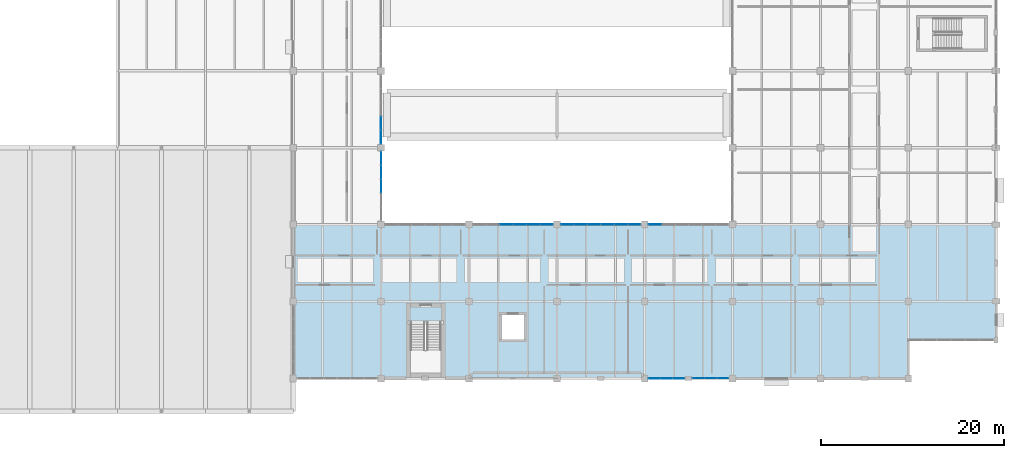
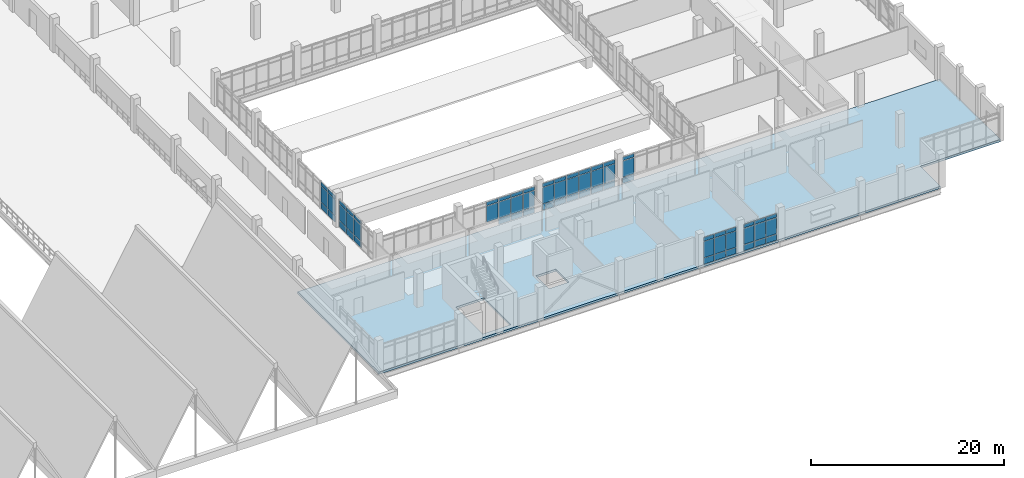
# One storey, part 41 of 86: 65 plates, 1 slab, 7 elements without a shape of their own.
"""IFC4 building model written with IfcOpenShell, lengths in metres."""

from ifc_helpers import new_model, si_unit, direction, frame, origin, origin_2d, place, context, subcontext, project, spatial, polyline, rectangle, outline, extrude, material, layer, layer_set, type_object, element, aggregate, save


model = new_model("IFC4")

# Units and contexts
model_context = context("Model", 3, precision=1e-05, world=origin(), true_north=direction((0.0, 1.0)))
body_context = subcontext(model_context, "Body", "Model", "MODEL_VIEW")
ifc_project = project(units=[si_unit("LENGTHUNIT", "METRE"), si_unit("AREAUNIT", "SQUARE_METRE"), si_unit("VOLUMEUNIT", "CUBIC_METRE"), si_unit("PLANEANGLEUNIT", "RADIAN"), si_unit("MASSUNIT", "GRAM", prefix="KILO")], contexts=[model_context])

# Site, building, storey
site_placement = place(None, origin())
site = spatial("IfcSite", under=ifc_project, at=site_placement, CompositionType="ELEMENT")
building_placement = place(site_placement, origin())
building = spatial("IfcBuilding", under=site, at=building_placement, Name="Oolite Switchyard Hospital", CompositionType="ELEMENT")
storey_placement = place(building_placement, frame((0.0, 0.0, 13.5)))
storey = spatial("IfcBuildingStorey", under=building, at=storey_placement, Name="L03", CompositionType="ELEMENT", Elevation=13.5)

# Curtain wall, plates
ifc_material_1 = material(Name="Thermally broken aluminum frame with laminated impact glazing", Category="aluminium")
curtain_wall_type_1 = type_object("IfcCurtainWallType", Name="CW-UNIT-96X43", PredefinedType="USERDEFINED", material=ifc_material_1)
curtain_wall_1_placement = place(storey_placement, origin())
curtain_wall_1 = element("IfcCurtainWall", 1, at=curtain_wall_1_placement, inside=storey, type_object=curtain_wall_type_1, Name="L03 Unitised Curtain Wall 332", ObjectType="UNITISED", PredefinedType="USERDEFINED")
ifc_material_2 = material(Name="Insulated fluoropolymer-coated aluminum spandrel panel", Category="aluminium")
ifc_layer_1 = layer(ifc_material_2, 0.054931640625)
ifc_layer_set_1 = layer_set([ifc_layer_1], Name="CW-PNL-SPN55")
plate_type_1 = type_object("IfcPlateType", Name="CW-PNL-SPN55", PredefinedType="CURTAIN_PANEL", material=ifc_layer_set_1)
plate_1_placement = place(storey_placement, frame((164.34375, 25.199951171875, 0.06005859375), z_axis=(0.0, 0.0, 1.0), x_axis=(1.0, 0.0, 0.0)))
plate_1 = element("IfcPlate", 2, at=plate_1_placement, type_object=plate_type_1, Name="CW-04 panel 1.1", PredefinedType="CURTAIN_PANEL", context=body_context, shape_type="SweptSolid", body=[
    extrude(rectangle(XDim=1.357421875, YDim=0.054931640625, at=origin_2d()), origin(), (0.0, 0.0, 1.0), 0.760009765625),
])
plate_2_placement = place(storey_placement, frame((164.34375, 25.199951171875, 0.8798828125), z_axis=(0.0, 0.0, 1.0), x_axis=(1.0, 0.0, 0.0)))
plate_2 = element("IfcPlate", 3, at=plate_2_placement, type_object=plate_type_1, Name="CW-04 panel 1.2", PredefinedType="CURTAIN_PANEL", context=body_context, shape_type="SweptSolid", body=[
    extrude(rectangle(XDim=1.357421875, YDim=0.054931640625, at=origin_2d()), origin(), (0.0, 0.0, 1.0), 2.030029296875),
])
plate_3_placement = place(storey_placement, frame((164.34375, 25.199951171875, 2.969970703125), z_axis=(0.0, 0.0, 1.0), x_axis=(1.0, 0.0, 0.0)))
plate_3 = element("IfcPlate", 4, at=plate_3_placement, type_object=plate_type_1, Name="CW-04 panel 1.3", PredefinedType="CURTAIN_PANEL", context=body_context, shape_type="SweptSolid", body=[
    extrude(rectangle(XDim=1.357421875, YDim=0.054931640625, at=origin_2d()), origin(), (0.0, 0.0, 1.0), 0.4599609375),
])
plate_4_placement = place(storey_placement, frame((165.794921875, 25.199951171875, 0.06005859375), z_axis=(0.0, 0.0, 1.0), x_axis=(1.0, 0.0, 0.0)))
plate_4 = element("IfcPlate", 5, at=plate_4_placement, type_object=plate_type_1, Name="CW-04 panel 2.1", PredefinedType="CURTAIN_PANEL", context=body_context, shape_type="SweptSolid", body=[
    extrude(rectangle(XDim=1.39501953125, YDim=0.054931640625, at=origin_2d()), origin(), (0.0, 0.0, 1.0), 0.760009765625),
])
plate_5_placement = place(storey_placement, frame((165.794921875, 25.199951171875, 0.8798828125), z_axis=(0.0, 0.0, 1.0), x_axis=(1.0, 0.0, 0.0)))
plate_5 = element("IfcPlate", 6, at=plate_5_placement, type_object=plate_type_1, Name="CW-04 panel 2.2", PredefinedType="CURTAIN_PANEL", context=body_context, shape_type="SweptSolid", body=[
    extrude(rectangle(XDim=1.39501953125, YDim=0.054931640625, at=origin_2d()), origin(), (0.0, 0.0, 1.0), 2.030029296875),
])
plate_6_placement = place(storey_placement, frame((165.794921875, 25.199951171875, 2.969970703125), z_axis=(0.0, 0.0, 1.0), x_axis=(1.0, 0.0, 0.0)))
plate_6 = element("IfcPlate", 7, at=plate_6_placement, type_object=plate_type_1, Name="CW-04 panel 2.3", PredefinedType="CURTAIN_PANEL", context=body_context, shape_type="SweptSolid", body=[
    extrude(rectangle(XDim=1.39501953125, YDim=0.054931640625, at=origin_2d()), origin(), (0.0, 0.0, 1.0), 0.4599609375),
])
plate_7_placement = place(storey_placement, frame((167.264892578125, 25.199951171875, 0.06005859375), z_axis=(0.0, 0.0, 1.0), x_axis=(1.0, 0.0, 0.0)))
plate_7 = element("IfcPlate", 8, at=plate_7_placement, type_object=plate_type_1, Name="CW-04 panel 3.1", PredefinedType="CURTAIN_PANEL", context=body_context, shape_type="SweptSolid", body=[
    extrude(rectangle(XDim=1.39501953125, YDim=0.054931640625, at=origin_2d()), origin(), (0.0, 0.0, 1.0), 0.760009765625),
])
plate_8_placement = place(storey_placement, frame((167.264892578125, 25.199951171875, 0.8798828125), z_axis=(0.0, 0.0, 1.0), x_axis=(1.0, 0.0, 0.0)))
plate_8 = element("IfcPlate", 9, at=plate_8_placement, type_object=plate_type_1, Name="CW-04 panel 3.2", PredefinedType="CURTAIN_PANEL", context=body_context, shape_type="SweptSolid", body=[
    extrude(rectangle(XDim=1.39501953125, YDim=0.054931640625, at=origin_2d()), origin(), (0.0, 0.0, 1.0), 2.030029296875),
])
plate_9_placement = place(storey_placement, frame((167.264892578125, 25.199951171875, 2.969970703125), z_axis=(0.0, 0.0, 1.0), x_axis=(1.0, 0.0, 0.0)))
plate_9 = element("IfcPlate", 10, at=plate_9_placement, type_object=plate_type_1, Name="CW-04 panel 3.3", PredefinedType="CURTAIN_PANEL", context=body_context, shape_type="SweptSolid", body=[
    extrude(rectangle(XDim=1.39501953125, YDim=0.054931640625, at=origin_2d()), origin(), (0.0, 0.0, 1.0), 0.4599609375),
])
plate_10_placement = place(storey_placement, frame((168.735107421875, 25.199951171875, 0.06005859375), z_axis=(0.0, 0.0, 1.0), x_axis=(1.0, 0.0, 0.0)))
plate_10 = element("IfcPlate", 11, at=plate_10_placement, type_object=plate_type_1, Name="CW-04 panel 4.1", PredefinedType="CURTAIN_PANEL", context=body_context, shape_type="SweptSolid", body=[
    extrude(rectangle(XDim=1.39501953125, YDim=0.054931640625, at=origin_2d()), origin(), (0.0, 0.0, 1.0), 0.760009765625),
])
plate_11_placement = place(storey_placement, frame((168.735107421875, 25.199951171875, 0.8798828125), z_axis=(0.0, 0.0, 1.0), x_axis=(1.0, 0.0, 0.0)))
plate_11 = element("IfcPlate", 12, at=plate_11_placement, type_object=plate_type_1, Name="CW-04 panel 4.2", PredefinedType="CURTAIN_PANEL", context=body_context, shape_type="SweptSolid", body=[
    extrude(rectangle(XDim=1.39501953125, YDim=0.054931640625, at=origin_2d()), origin(), (0.0, 0.0, 1.0), 2.030029296875),
])
plate_12_placement = place(storey_placement, frame((168.735107421875, 25.199951171875, 2.969970703125), z_axis=(0.0, 0.0, 1.0), x_axis=(1.0, 0.0, 0.0)))
plate_12 = element("IfcPlate", 13, at=plate_12_placement, type_object=plate_type_1, Name="CW-04 panel 4.3", PredefinedType="CURTAIN_PANEL", context=body_context, shape_type="SweptSolid", body=[
    extrude(rectangle(XDim=1.39501953125, YDim=0.054931640625, at=origin_2d()), origin(), (0.0, 0.0, 1.0), 0.4599609375),
])
plate_13_placement = place(storey_placement, frame((170.205078125, 25.199951171875, 0.06005859375), z_axis=(0.0, 0.0, 1.0), x_axis=(1.0, 0.0, 0.0)))
plate_13 = element("IfcPlate", 14, at=plate_13_placement, type_object=plate_type_1, Name="CW-04 panel 5.1", PredefinedType="CURTAIN_PANEL", context=body_context, shape_type="SweptSolid", body=[
    extrude(rectangle(XDim=1.39501953125, YDim=0.054931640625, at=origin_2d()), origin(), (0.0, 0.0, 1.0), 0.760009765625),
])
plate_14_placement = place(storey_placement, frame((170.205078125, 25.199951171875, 0.8798828125), z_axis=(0.0, 0.0, 1.0), x_axis=(1.0, 0.0, 0.0)))
plate_14 = element("IfcPlate", 15, at=plate_14_placement, type_object=plate_type_1, Name="CW-04 panel 5.2", PredefinedType="CURTAIN_PANEL", context=body_context, shape_type="SweptSolid", body=[
    extrude(rectangle(XDim=1.39501953125, YDim=0.054931640625, at=origin_2d()), origin(), (0.0, 0.0, 1.0), 2.030029296875),
])
plate_15_placement = place(storey_placement, frame((170.205078125, 25.199951171875, 2.969970703125), z_axis=(0.0, 0.0, 1.0), x_axis=(1.0, 0.0, 0.0)))
plate_15 = element("IfcPlate", 16, at=plate_15_placement, type_object=plate_type_1, Name="CW-04 panel 5.3", PredefinedType="CURTAIN_PANEL", context=body_context, shape_type="SweptSolid", body=[
    extrude(rectangle(XDim=1.39501953125, YDim=0.054931640625, at=origin_2d()), origin(), (0.0, 0.0, 1.0), 0.4599609375),
])
plate_16_placement = place(storey_placement, frame((171.65625, 25.199951171875, 0.06005859375), z_axis=(0.0, 0.0, 1.0), x_axis=(1.0, 0.0, 0.0)))
plate_16 = element("IfcPlate", 17, at=plate_16_placement, type_object=plate_type_1, Name="CW-04 panel 6.1", PredefinedType="CURTAIN_PANEL", context=body_context, shape_type="SweptSolid", body=[
    extrude(rectangle(XDim=1.357421875, YDim=0.054931640625, at=origin_2d()), origin(), (0.0, 0.0, 1.0), 0.760009765625),
])
plate_17_placement = place(storey_placement, frame((171.65625, 25.199951171875, 0.8798828125), z_axis=(0.0, 0.0, 1.0), x_axis=(1.0, 0.0, 0.0)))
plate_17 = element("IfcPlate", 18, at=plate_17_placement, type_object=plate_type_1, Name="CW-04 panel 6.2", PredefinedType="CURTAIN_PANEL", context=body_context, shape_type="SweptSolid", body=[
    extrude(rectangle(XDim=1.357421875, YDim=0.054931640625, at=origin_2d()), origin(), (0.0, 0.0, 1.0), 2.030029296875),
])
plate_18_placement = place(storey_placement, frame((171.65625, 25.199951171875, 2.969970703125), z_axis=(0.0, 0.0, 1.0), x_axis=(1.0, 0.0, 0.0)))
plate_18 = element("IfcPlate", 19, at=plate_18_placement, type_object=plate_type_1, Name="CW-04 panel 6.3", PredefinedType="CURTAIN_PANEL", context=body_context, shape_type="SweptSolid", body=[
    extrude(rectangle(XDim=1.357421875, YDim=0.054931640625, at=origin_2d()), origin(), (0.0, 0.0, 1.0), 0.4599609375),
])
aggregate(curtain_wall_1, [plate_1, plate_2, plate_3, plate_4, plate_5, plate_6, plate_7, plate_8, plate_9, plate_10, plate_11, plate_12, plate_13, plate_14, plate_15, plate_16, plate_17, plate_18])

curtain_wall_type_2 = type_object("IfcCurtainWallType", Name="CW-UNIT-84X43", PredefinedType="USERDEFINED", material=ifc_material_1)
curtain_wall_2_placement = place(storey_placement, origin())
curtain_wall_2 = element("IfcCurtainWall", 20, at=curtain_wall_2_placement, inside=storey, type_object=curtain_wall_type_2, Name="L03 Unitised Curtain Wall 343", ObjectType="UNITISED", PredefinedType="USERDEFINED")
plate_19_placement = place(storey_placement, frame((144.0, 36.27587890625, 0.0751953125), z_axis=(0.0, 0.0, 1.0), x_axis=(0.0, -1.0, 0.0)))
plate_19 = element("IfcPlate", 21, at=plate_19_placement, type_object=plate_type_1, Name="CW-09 panel 4.1", PredefinedType="CURTAIN_PANEL", context=body_context, shape_type="SweptSolid", body=[
    extrude(rectangle(XDim=1.4541015625, YDim=0.054931640625, at=origin_2d()), origin(), (0.0, 0.0, 1.0), 0.737548828125),
])
plate_20_placement = place(storey_placement, frame((144.0, 36.27587890625, 0.8876953125), z_axis=(0.0, 0.0, 1.0), x_axis=(0.0, -1.0, 0.0)))
plate_20 = element("IfcPlate", 22, at=plate_20_placement, type_object=plate_type_1, Name="CW-09 panel 4.2", PredefinedType="CURTAIN_PANEL", context=body_context, shape_type="SweptSolid", body=[
    extrude(rectangle(XDim=1.4541015625, YDim=0.054931640625, at=origin_2d()), origin(), (0.0, 0.0, 1.0), 2.014892578125),
])
plate_21_placement = place(storey_placement, frame((144.0, 36.27587890625, 2.9775390625), z_axis=(0.0, 0.0, 1.0), x_axis=(0.0, -1.0, 0.0)))
plate_21 = element("IfcPlate", 23, at=plate_21_placement, type_object=plate_type_1, Name="CW-09 panel 4.3", PredefinedType="CURTAIN_PANEL", context=body_context, shape_type="SweptSolid", body=[
    extrude(rectangle(XDim=1.4541015625, YDim=0.054931640625, at=origin_2d()), origin(), (0.0, 0.0, 1.0), 0.4375),
])
plate_22_placement = place(storey_placement, frame((144.0, 34.76953125, 0.0751953125), z_axis=(0.0, 0.0, 1.0), x_axis=(0.0, -1.0, 0.0)))
plate_22 = element("IfcPlate", 24, at=plate_22_placement, type_object=plate_type_1, Name="CW-09 panel 5.1", PredefinedType="CURTAIN_PANEL", context=body_context, shape_type="SweptSolid", body=[
    extrude(rectangle(XDim=1.4189453125, YDim=0.054931640625, at=origin_2d()), origin(), (0.0, 0.0, 1.0), 0.737548828125),
])
plate_23_placement = place(storey_placement, frame((144.0, 34.76953125, 0.8876953125), z_axis=(0.0, 0.0, 1.0), x_axis=(0.0, -1.0, 0.0)))
plate_23 = element("IfcPlate", 25, at=plate_23_placement, type_object=plate_type_1, Name="CW-09 panel 5.2", PredefinedType="CURTAIN_PANEL", context=body_context, shape_type="SweptSolid", body=[
    extrude(rectangle(XDim=1.4189453125, YDim=0.054931640625, at=origin_2d()), origin(), (0.0, 0.0, 1.0), 2.014892578125),
])
plate_24_placement = place(storey_placement, frame((144.0, 34.76953125, 2.9775390625), z_axis=(0.0, 0.0, 1.0), x_axis=(0.0, -1.0, 0.0)))
plate_24 = element("IfcPlate", 26, at=plate_24_placement, type_object=plate_type_1, Name="CW-09 panel 5.3", PredefinedType="CURTAIN_PANEL", context=body_context, shape_type="SweptSolid", body=[
    extrude(rectangle(XDim=1.4189453125, YDim=0.054931640625, at=origin_2d()), origin(), (0.0, 0.0, 1.0), 0.4375),
])
aggregate(curtain_wall_2, [plate_19, plate_20, plate_21, plate_22, plate_23, plate_24])

curtain_wall_3_placement = place(storey_placement, origin())
curtain_wall_3 = element("IfcCurtainWall", 27, at=curtain_wall_3_placement, inside=storey, type_object=curtain_wall_type_2, Name="L03 Unitised Curtain Wall 327", ObjectType="UNITISED", PredefinedType="USERDEFINED")
ifc_material_3 = material(Name="Laminated hurricane-impact insulated glazing unit", Category="glass")
ifc_layer_2 = layer(ifc_material_3, 0.028076171875)
ifc_layer_set_2 = layer_set([ifc_layer_2], Name="CW-PNL-VIS28")
plate_type_2 = type_object("IfcPlateType", Name="CW-PNL-VIS28", PredefinedType="CURTAIN_PANEL", material=ifc_layer_set_2)
plate_25_placement = place(storey_placement, frame((181.324951171875, 8.39990234375, 0.0751953125), z_axis=(0.0, 0.0, 1.0), x_axis=(-1.0, 0.0, 0.0)))
plate_25 = element("IfcPlate", 28, at=plate_25_placement, type_object=plate_type_2, Name="CW-09 panel 1.1", PredefinedType="CURTAIN_PANEL", context=body_context, shape_type="SweptSolid", body=[
    extrude(rectangle(XDim=1.25, YDim=0.028076171875, at=origin_2d()), origin(), (0.0, 0.0, 1.0), 0.737548828125),
])
plate_26_placement = place(storey_placement, frame((181.324951171875, 8.39990234375, 0.8876953125), z_axis=(0.0, 0.0, 1.0), x_axis=(-1.0, 0.0, 0.0)))
plate_26 = element("IfcPlate", 29, at=plate_26_placement, type_object=plate_type_2, Name="CW-09 panel 1.2", PredefinedType="CURTAIN_PANEL", context=body_context, shape_type="SweptSolid", body=[
    extrude(rectangle(XDim=1.25, YDim=0.028076171875, at=origin_2d()), origin(), (0.0, 0.0, 1.0), 2.014892578125),
])
plate_27_placement = place(storey_placement, frame((181.324951171875, 8.39990234375, 2.9775390625), z_axis=(0.0, 0.0, 1.0), x_axis=(-1.0, 0.0, 0.0)))
plate_27 = element("IfcPlate", 30, at=plate_27_placement, type_object=plate_type_2, Name="CW-09 panel 1.3", PredefinedType="CURTAIN_PANEL", context=body_context, shape_type="SweptSolid", body=[
    extrude(rectangle(XDim=1.25, YDim=0.028076171875, at=origin_2d()), origin(), (0.0, 0.0, 1.0), 0.4375),
])
plate_28_placement = place(storey_placement, frame((180.0, 8.39990234375, 0.0751953125), z_axis=(0.0, 0.0, 1.0), x_axis=(-1.0, 0.0, 0.0)))
plate_28 = element("IfcPlate", 31, at=plate_28_placement, type_object=plate_type_2, Name="CW-09 panel 2.1", PredefinedType="CURTAIN_PANEL", context=body_context, shape_type="SweptSolid", body=[
    extrude(rectangle(XDim=1.280029296875, YDim=0.028076171875, at=origin_2d()), origin(), (0.0, 0.0, 1.0), 0.737548828125),
])
plate_29_placement = place(storey_placement, frame((180.0, 8.39990234375, 0.8876953125), z_axis=(0.0, 0.0, 1.0), x_axis=(-1.0, 0.0, 0.0)))
plate_29 = element("IfcPlate", 32, at=plate_29_placement, type_object=plate_type_2, Name="CW-09 panel 2.2", PredefinedType="CURTAIN_PANEL", context=body_context, shape_type="SweptSolid", body=[
    extrude(rectangle(XDim=1.280029296875, YDim=0.028076171875, at=origin_2d()), origin(), (0.0, 0.0, 1.0), 2.014892578125),
])
plate_30_placement = place(storey_placement, frame((180.0, 8.39990234375, 2.9775390625), z_axis=(0.0, 0.0, 1.0), x_axis=(-1.0, 0.0, 0.0)))
plate_30 = element("IfcPlate", 33, at=plate_30_placement, type_object=plate_type_2, Name="CW-09 panel 2.3", PredefinedType="CURTAIN_PANEL", context=body_context, shape_type="SweptSolid", body=[
    extrude(rectangle(XDim=1.280029296875, YDim=0.028076171875, at=origin_2d()), origin(), (0.0, 0.0, 1.0), 0.4375),
])
plate_31_placement = place(storey_placement, frame((178.675048828125, 8.39990234375, 0.0751953125), z_axis=(0.0, 0.0, 1.0), x_axis=(-1.0, 0.0, 0.0)))
plate_31 = element("IfcPlate", 34, at=plate_31_placement, type_object=plate_type_2, Name="CW-09 panel 3.1", PredefinedType="CURTAIN_PANEL", context=body_context, shape_type="SweptSolid", body=[
    extrude(rectangle(XDim=1.25, YDim=0.028076171875, at=origin_2d()), origin(), (0.0, 0.0, 1.0), 0.737548828125),
])
plate_32_placement = place(storey_placement, frame((178.675048828125, 8.39990234375, 0.8876953125), z_axis=(0.0, 0.0, 1.0), x_axis=(-1.0, 0.0, 0.0)))
plate_32 = element("IfcPlate", 35, at=plate_32_placement, type_object=plate_type_2, Name="CW-09 panel 3.2", PredefinedType="CURTAIN_PANEL", context=body_context, shape_type="SweptSolid", body=[
    extrude(rectangle(XDim=1.25, YDim=0.028076171875, at=origin_2d()), origin(), (0.0, 0.0, 1.0), 2.014892578125),
])
plate_33_placement = place(storey_placement, frame((178.675048828125, 8.39990234375, 2.9775390625), z_axis=(0.0, 0.0, 1.0), x_axis=(-1.0, 0.0, 0.0)))
plate_33 = element("IfcPlate", 36, at=plate_33_placement, type_object=plate_type_2, Name="CW-09 panel 3.3", PredefinedType="CURTAIN_PANEL", context=body_context, shape_type="SweptSolid", body=[
    extrude(rectangle(XDim=1.25, YDim=0.028076171875, at=origin_2d()), origin(), (0.0, 0.0, 1.0), 0.4375),
])
aggregate(curtain_wall_3, [plate_25, plate_26, plate_27, plate_28, plate_29, plate_30, plate_31, plate_32, plate_33])

curtain_wall_4_placement = place(storey_placement, origin())
curtain_wall_4 = element("IfcCurtainWall", 37, at=curtain_wall_4_placement, inside=storey, type_object=curtain_wall_type_1, Name="L03 Unitised Curtain Wall 333", ObjectType="UNITISED", PredefinedType="USERDEFINED")
plate_34_placement = place(storey_placement, frame((173.93994140625, 25.199951171875, 0.0751953125), z_axis=(0.0, 0.0, 1.0), x_axis=(1.0, 0.0, 0.0)))
plate_34 = element("IfcPlate", 38, at=plate_34_placement, type_object=plate_type_2, Name="CW-04 panel 1.1", PredefinedType="CURTAIN_PANEL", context=body_context, shape_type="SweptSolid", body=[
    extrude(rectangle(XDim=1.3798828125, YDim=0.028076171875, at=origin_2d()), origin(), (0.0, 0.0, 1.0), 0.737548828125),
])
plate_35_placement = place(storey_placement, frame((173.93994140625, 25.199951171875, 0.8876953125), z_axis=(0.0, 0.0, 1.0), x_axis=(1.0, 0.0, 0.0)))
plate_35 = element("IfcPlate", 39, at=plate_35_placement, type_object=plate_type_2, Name="CW-04 panel 1.2", PredefinedType="CURTAIN_PANEL", context=body_context, shape_type="SweptSolid", body=[
    extrude(rectangle(XDim=1.3798828125, YDim=0.028076171875, at=origin_2d()), origin(), (0.0, 0.0, 1.0), 2.014892578125),
])
plate_36_placement = place(storey_placement, frame((173.93994140625, 25.199951171875, 2.9775390625), z_axis=(0.0, 0.0, 1.0), x_axis=(1.0, 0.0, 0.0)))
plate_36 = element("IfcPlate", 40, at=plate_36_placement, type_object=plate_type_2, Name="CW-04 panel 1.3", PredefinedType="CURTAIN_PANEL", context=body_context, shape_type="SweptSolid", body=[
    extrude(rectangle(XDim=1.3798828125, YDim=0.028076171875, at=origin_2d()), origin(), (0.0, 0.0, 1.0), 0.4375),
])
aggregate(curtain_wall_4, [plate_34, plate_35, plate_36])

curtain_wall_5_placement = place(storey_placement, origin())
curtain_wall_5 = element("IfcCurtainWall", 41, at=curtain_wall_5_placement, inside=storey, type_object=curtain_wall_type_2, Name="L03 Unitised Curtain Wall 340", ObjectType="UNITISED", PredefinedType="USERDEFINED")
plate_37_placement = place(storey_placement, frame((144.0, 32.430419921875, 0.06005859375), z_axis=(0.0, 0.0, 1.0), x_axis=(0.0, -1.0, 0.0)))
plate_37 = element("IfcPlate", 42, at=plate_37_placement, type_object=plate_type_2, Name="CW-09 panel 1.1", PredefinedType="CURTAIN_PANEL", context=body_context, shape_type="SweptSolid", body=[
    extrude(rectangle(XDim=1.4189453125, YDim=0.028076171875, at=origin_2d()), origin(), (0.0, 0.0, 1.0), 0.760009765625),
])
plate_38_placement = place(storey_placement, frame((144.0, 32.430419921875, 0.8798828125), z_axis=(0.0, 0.0, 1.0), x_axis=(0.0, -1.0, 0.0)))
plate_38 = element("IfcPlate", 43, at=plate_38_placement, type_object=plate_type_2, Name="CW-09 panel 1.2", PredefinedType="CURTAIN_PANEL", context=body_context, shape_type="SweptSolid", body=[
    extrude(rectangle(XDim=1.4189453125, YDim=0.028076171875, at=origin_2d()), origin(), (0.0, 0.0, 1.0), 2.030029296875),
])
plate_39_placement = place(storey_placement, frame((144.0, 32.430419921875, 2.969970703125), z_axis=(0.0, 0.0, 1.0), x_axis=(0.0, -1.0, 0.0)))
plate_39 = element("IfcPlate", 44, at=plate_39_placement, type_object=plate_type_2, Name="CW-09 panel 1.3", PredefinedType="CURTAIN_PANEL", context=body_context, shape_type="SweptSolid", body=[
    extrude(rectangle(XDim=1.4189453125, YDim=0.028076171875, at=origin_2d()), origin(), (0.0, 0.0, 1.0), 0.4599609375),
])
plate_40_placement = place(storey_placement, frame((144.0, 30.924072265625, 0.06005859375), z_axis=(0.0, 0.0, 1.0), x_axis=(0.0, -1.0, 0.0)))
plate_40 = element("IfcPlate", 45, at=plate_40_placement, type_object=plate_type_2, Name="CW-09 panel 2.1", PredefinedType="CURTAIN_PANEL", context=body_context, shape_type="SweptSolid", body=[
    extrude(rectangle(XDim=1.4541015625, YDim=0.028076171875, at=origin_2d()), origin(), (0.0, 0.0, 1.0), 0.760009765625),
])
plate_41_placement = place(storey_placement, frame((144.0, 30.924072265625, 0.8798828125), z_axis=(0.0, 0.0, 1.0), x_axis=(0.0, -1.0, 0.0)))
plate_41 = element("IfcPlate", 46, at=plate_41_placement, type_object=plate_type_2, Name="CW-09 panel 2.2", PredefinedType="CURTAIN_PANEL", context=body_context, shape_type="SweptSolid", body=[
    extrude(rectangle(XDim=1.4541015625, YDim=0.028076171875, at=origin_2d()), origin(), (0.0, 0.0, 1.0), 2.030029296875),
])
plate_42_placement = place(storey_placement, frame((144.0, 30.924072265625, 2.969970703125), z_axis=(0.0, 0.0, 1.0), x_axis=(0.0, -1.0, 0.0)))
plate_42 = element("IfcPlate", 47, at=plate_42_placement, type_object=plate_type_2, Name="CW-09 panel 2.3", PredefinedType="CURTAIN_PANEL", context=body_context, shape_type="SweptSolid", body=[
    extrude(rectangle(XDim=1.4541015625, YDim=0.028076171875, at=origin_2d()), origin(), (0.0, 0.0, 1.0), 0.4599609375),
])
plate_43_placement = place(storey_placement, frame((144.0, 29.39990234375, 0.06005859375), z_axis=(0.0, 0.0, 1.0), x_axis=(0.0, -1.0, 0.0)))
plate_43 = element("IfcPlate", 48, at=plate_43_placement, type_object=plate_type_2, Name="CW-09 panel 3.1", PredefinedType="CURTAIN_PANEL", context=body_context, shape_type="SweptSolid", body=[
    extrude(rectangle(XDim=1.4541015625, YDim=0.028076171875, at=origin_2d()), origin(), (0.0, 0.0, 1.0), 0.760009765625),
])
plate_44_placement = place(storey_placement, frame((144.0, 29.39990234375, 0.8798828125), z_axis=(0.0, 0.0, 1.0), x_axis=(0.0, -1.0, 0.0)))
plate_44 = element("IfcPlate", 49, at=plate_44_placement, type_object=plate_type_2, Name="CW-09 panel 3.2", PredefinedType="CURTAIN_PANEL", context=body_context, shape_type="SweptSolid", body=[
    extrude(rectangle(XDim=1.4541015625, YDim=0.028076171875, at=origin_2d()), origin(), (0.0, 0.0, 1.0), 2.030029296875),
])
plate_45_placement = place(storey_placement, frame((144.0, 29.39990234375, 2.969970703125), z_axis=(0.0, 0.0, 1.0), x_axis=(0.0, -1.0, 0.0)))
plate_45 = element("IfcPlate", 50, at=plate_45_placement, type_object=plate_type_2, Name="CW-09 panel 3.3", PredefinedType="CURTAIN_PANEL", context=body_context, shape_type="SweptSolid", body=[
    extrude(rectangle(XDim=1.4541015625, YDim=0.028076171875, at=origin_2d()), origin(), (0.0, 0.0, 1.0), 0.4599609375),
])
aggregate(curtain_wall_5, [plate_37, plate_38, plate_39, plate_40, plate_41, plate_42, plate_43, plate_44, plate_45])

curtain_wall_6_placement = place(storey_placement, origin())
curtain_wall_6 = element("IfcCurtainWall", 51, at=curtain_wall_6_placement, inside=storey, type_object=curtain_wall_type_2, Name="L03 Unitised Curtain Wall 328", ObjectType="UNITISED", PredefinedType="USERDEFINED")
ifc_layer_3 = layer(ifc_material_3, 0.031982421875)
ifc_layer_set_3 = layer_set([ifc_layer_3], Name="CW-PNL-VIS32")
plate_type_3 = type_object("IfcPlateType", Name="CW-PNL-VIS32", PredefinedType="CURTAIN_PANEL", material=ifc_layer_set_3)
plate_46_placement = place(storey_placement, frame((176.5224609375, 8.39990234375, 0.06005859375), z_axis=(0.0, 0.0, 1.0), x_axis=(-1.0, 0.0, 0.0)))
plate_46 = element("IfcPlate", 52, at=plate_46_placement, type_object=plate_type_3, Name="CW-09 panel 1.1", PredefinedType="CURTAIN_PANEL", context=body_context, shape_type="SweptSolid", body=[
    extrude(rectangle(XDim=1.235107421875, YDim=0.031982421875, at=origin_2d()), origin(), (0.0, 0.0, 1.0), 0.760009765625),
])
plate_47_placement = place(storey_placement, frame((176.5224609375, 8.39990234375, 0.8798828125), z_axis=(0.0, 0.0, 1.0), x_axis=(-1.0, 0.0, 0.0)))
plate_47 = element("IfcPlate", 53, at=plate_47_placement, type_object=plate_type_3, Name="CW-09 panel 1.2", PredefinedType="CURTAIN_PANEL", context=body_context, shape_type="SweptSolid", body=[
    extrude(rectangle(XDim=1.235107421875, YDim=0.031982421875, at=origin_2d()), origin(), (0.0, 0.0, 1.0), 2.030029296875),
])
plate_48_placement = place(storey_placement, frame((176.5224609375, 8.39990234375, 2.969970703125), z_axis=(0.0, 0.0, 1.0), x_axis=(-1.0, 0.0, 0.0)))
plate_48 = element("IfcPlate", 54, at=plate_48_placement, type_object=plate_type_3, Name="CW-09 panel 1.3", PredefinedType="CURTAIN_PANEL", context=body_context, shape_type="SweptSolid", body=[
    extrude(rectangle(XDim=1.235107421875, YDim=0.031982421875, at=origin_2d()), origin(), (0.0, 0.0, 1.0), 0.4599609375),
])
plate_49_placement = place(storey_placement, frame((175.199951171875, 8.39990234375, 0.06005859375), z_axis=(0.0, 0.0, 1.0), x_axis=(-1.0, 0.0, 0.0)))
plate_49 = element("IfcPlate", 55, at=plate_49_placement, type_object=plate_type_3, Name="CW-09 panel 2.1", PredefinedType="CURTAIN_PANEL", context=body_context, shape_type="SweptSolid", body=[
    extrude(rectangle(XDim=1.27001953125, YDim=0.031982421875, at=origin_2d()), origin(), (0.0, 0.0, 1.0), 0.760009765625),
])
plate_50_placement = place(storey_placement, frame((175.199951171875, 8.39990234375, 0.8798828125), z_axis=(0.0, 0.0, 1.0), x_axis=(-1.0, 0.0, 0.0)))
plate_50 = element("IfcPlate", 56, at=plate_50_placement, type_object=plate_type_3, Name="CW-09 panel 2.2", PredefinedType="CURTAIN_PANEL", context=body_context, shape_type="SweptSolid", body=[
    extrude(rectangle(XDim=1.27001953125, YDim=0.031982421875, at=origin_2d()), origin(), (0.0, 0.0, 1.0), 2.030029296875),
])
plate_51_placement = place(storey_placement, frame((175.199951171875, 8.39990234375, 2.969970703125), z_axis=(0.0, 0.0, 1.0), x_axis=(-1.0, 0.0, 0.0)))
plate_51 = element("IfcPlate", 57, at=plate_51_placement, type_object=plate_type_3, Name="CW-09 panel 2.3", PredefinedType="CURTAIN_PANEL", context=body_context, shape_type="SweptSolid", body=[
    extrude(rectangle(XDim=1.27001953125, YDim=0.031982421875, at=origin_2d()), origin(), (0.0, 0.0, 1.0), 0.4599609375),
])
plate_52_placement = place(storey_placement, frame((173.87744140625, 8.39990234375, 0.06005859375), z_axis=(0.0, 0.0, 1.0), x_axis=(-1.0, 0.0, 0.0)))
plate_52 = element("IfcPlate", 58, at=plate_52_placement, type_object=plate_type_3, Name="CW-09 panel 3.1", PredefinedType="CURTAIN_PANEL", context=body_context, shape_type="SweptSolid", body=[
    extrude(rectangle(XDim=1.235107421875, YDim=0.031982421875, at=origin_2d()), origin(), (0.0, 0.0, 1.0), 0.760009765625),
])
plate_53_placement = place(storey_placement, frame((173.87744140625, 8.39990234375, 0.8798828125), z_axis=(0.0, 0.0, 1.0), x_axis=(-1.0, 0.0, 0.0)))
plate_53 = element("IfcPlate", 59, at=plate_53_placement, type_object=plate_type_3, Name="CW-09 panel 3.2", PredefinedType="CURTAIN_PANEL", context=body_context, shape_type="SweptSolid", body=[
    extrude(rectangle(XDim=1.235107421875, YDim=0.031982421875, at=origin_2d()), origin(), (0.0, 0.0, 1.0), 2.030029296875),
])
plate_54_placement = place(storey_placement, frame((173.87744140625, 8.39990234375, 2.969970703125), z_axis=(0.0, 0.0, 1.0), x_axis=(-1.0, 0.0, 0.0)))
plate_54 = element("IfcPlate", 60, at=plate_54_placement, type_object=plate_type_3, Name="CW-09 panel 3.3", PredefinedType="CURTAIN_PANEL", context=body_context, shape_type="SweptSolid", body=[
    extrude(rectangle(XDim=1.235107421875, YDim=0.031982421875, at=origin_2d()), origin(), (0.0, 0.0, 1.0), 0.4599609375),
])
aggregate(curtain_wall_6, [plate_46, plate_47, plate_48, plate_49, plate_50, plate_51, plate_52, plate_53, plate_54])

curtain_wall_7_placement = place(storey_placement, origin())
curtain_wall_7 = element("IfcCurtainWall", 61, at=curtain_wall_7_placement, inside=storey, type_object=curtain_wall_type_1, Name="L03 Unitised Curtain Wall 331", ObjectType="UNITISED", PredefinedType="USERDEFINED")
ifc_layer_4 = layer(ifc_material_3, 0.0419921875)
ifc_layer_set_4 = layer_set([ifc_layer_4], Name="CW-PNL-VIS42")
plate_type_4 = type_object("IfcPlateType", Name="CW-PNL-VIS42", PredefinedType="CURTAIN_PANEL", material=ifc_layer_set_4)
plate_55_placement = place(storey_placement, frame((157.6650390625, 25.199951171875, 0.8876953125), z_axis=(0.0, 0.0, 1.0), x_axis=(1.0, 0.0, 0.0)))
plate_55 = element("IfcPlate", 62, at=plate_55_placement, type_object=plate_type_4, Name="CW-04 panel 3.2", PredefinedType="CURTAIN_PANEL", context=body_context, shape_type="SweptSolid", body=[
    extrude(rectangle(XDim=1.39990234375, YDim=0.0419921875, at=origin_2d()), origin(), (0.0, 0.0, 1.0), 2.014892578125),
])
plate_56_placement = place(storey_placement, frame((157.6650390625, 25.199951171875, 2.9775390625), z_axis=(0.0, 0.0, 1.0), x_axis=(1.0, 0.0, 0.0)))
plate_56 = element("IfcPlate", 63, at=plate_56_placement, type_object=plate_type_4, Name="CW-04 panel 3.3", PredefinedType="CURTAIN_PANEL", context=body_context, shape_type="SweptSolid", body=[
    extrude(rectangle(XDim=1.39990234375, YDim=0.0419921875, at=origin_2d()), origin(), (0.0, 0.0, 1.0), 0.4375),
])
plate_57_placement = place(storey_placement, frame((159.135009765625, 25.199951171875, 0.0751953125), z_axis=(0.0, 0.0, 1.0), x_axis=(1.0, 0.0, 0.0)))
plate_57 = element("IfcPlate", 64, at=plate_57_placement, type_object=plate_type_4, Name="CW-04 panel 4.1", PredefinedType="CURTAIN_PANEL", context=body_context, shape_type="SweptSolid", body=[
    extrude(rectangle(XDim=1.39990234375, YDim=0.0419921875, at=origin_2d()), origin(), (0.0, 0.0, 1.0), 0.737548828125),
])
plate_58_placement = place(storey_placement, frame((159.135009765625, 25.199951171875, 0.8876953125), z_axis=(0.0, 0.0, 1.0), x_axis=(1.0, 0.0, 0.0)))
plate_58 = element("IfcPlate", 65, at=plate_58_placement, type_object=plate_type_4, Name="CW-04 panel 4.2", PredefinedType="CURTAIN_PANEL", context=body_context, shape_type="SweptSolid", body=[
    extrude(rectangle(XDim=1.39990234375, YDim=0.0419921875, at=origin_2d()), origin(), (0.0, 0.0, 1.0), 2.014892578125),
])
plate_59_placement = place(storey_placement, frame((159.135009765625, 25.199951171875, 2.9775390625), z_axis=(0.0, 0.0, 1.0), x_axis=(1.0, 0.0, 0.0)))
plate_59 = element("IfcPlate", 66, at=plate_59_placement, type_object=plate_type_4, Name="CW-04 panel 4.3", PredefinedType="CURTAIN_PANEL", context=body_context, shape_type="SweptSolid", body=[
    extrude(rectangle(XDim=1.39990234375, YDim=0.0419921875, at=origin_2d()), origin(), (0.0, 0.0, 1.0), 0.4375),
])
plate_60_placement = place(storey_placement, frame((160.60498046875, 25.199951171875, 0.0751953125), z_axis=(0.0, 0.0, 1.0), x_axis=(1.0, 0.0, 0.0)))
plate_60 = element("IfcPlate", 67, at=plate_60_placement, type_object=plate_type_4, Name="CW-04 panel 5.1", PredefinedType="CURTAIN_PANEL", context=body_context, shape_type="SweptSolid", body=[
    extrude(rectangle(XDim=1.39990234375, YDim=0.0419921875, at=origin_2d()), origin(), (0.0, 0.0, 1.0), 0.737548828125),
])
plate_61_placement = place(storey_placement, frame((160.60498046875, 25.199951171875, 0.8876953125), z_axis=(0.0, 0.0, 1.0), x_axis=(1.0, 0.0, 0.0)))
plate_61 = element("IfcPlate", 68, at=plate_61_placement, type_object=plate_type_4, Name="CW-04 panel 5.2", PredefinedType="CURTAIN_PANEL", context=body_context, shape_type="SweptSolid", body=[
    extrude(rectangle(XDim=1.39990234375, YDim=0.0419921875, at=origin_2d()), origin(), (0.0, 0.0, 1.0), 2.014892578125),
])
plate_62_placement = place(storey_placement, frame((160.60498046875, 25.199951171875, 2.9775390625), z_axis=(0.0, 0.0, 1.0), x_axis=(1.0, 0.0, 0.0)))
plate_62 = element("IfcPlate", 69, at=plate_62_placement, type_object=plate_type_4, Name="CW-04 panel 5.3", PredefinedType="CURTAIN_PANEL", context=body_context, shape_type="SweptSolid", body=[
    extrude(rectangle(XDim=1.39990234375, YDim=0.0419921875, at=origin_2d()), origin(), (0.0, 0.0, 1.0), 0.4375),
])
plate_63_placement = place(storey_placement, frame((162.0576171875, 25.199951171875, 0.0751953125), z_axis=(0.0, 0.0, 1.0), x_axis=(1.0, 0.0, 0.0)))
plate_63 = element("IfcPlate", 70, at=plate_63_placement, type_object=plate_type_4, Name="CW-04 panel 6.1", PredefinedType="CURTAIN_PANEL", context=body_context, shape_type="SweptSolid", body=[
    extrude(rectangle(XDim=1.364990234375, YDim=0.0419921875, at=origin_2d()), origin(), (0.0, 0.0, 1.0), 0.737548828125),
])
plate_64_placement = place(storey_placement, frame((162.0576171875, 25.199951171875, 0.8876953125), z_axis=(0.0, 0.0, 1.0), x_axis=(1.0, 0.0, 0.0)))
plate_64 = element("IfcPlate", 71, at=plate_64_placement, type_object=plate_type_4, Name="CW-04 panel 6.2", PredefinedType="CURTAIN_PANEL", context=body_context, shape_type="SweptSolid", body=[
    extrude(rectangle(XDim=1.364990234375, YDim=0.0419921875, at=origin_2d()), origin(), (0.0, 0.0, 1.0), 2.014892578125),
])
plate_65_placement = place(storey_placement, frame((162.0576171875, 25.199951171875, 2.9775390625), z_axis=(0.0, 0.0, 1.0), x_axis=(1.0, 0.0, 0.0)))
plate_65 = element("IfcPlate", 72, at=plate_65_placement, type_object=plate_type_4, Name="CW-04 panel 6.3", PredefinedType="CURTAIN_PANEL", context=body_context, shape_type="SweptSolid", body=[
    extrude(rectangle(XDim=1.364990234375, YDim=0.0419921875, at=origin_2d()), origin(), (0.0, 0.0, 1.0), 0.4375),
])
aggregate(curtain_wall_7, [plate_55, plate_56, plate_57, plate_58, plate_59, plate_60, plate_61, plate_62, plate_63, plate_64, plate_65])

# Slab
ifc_material_4 = material(Name="Concrete C40/50", Category="concrete")
ifc_layer_5 = layer(ifc_material_4, 0.27490234375)
ifc_layer_set_5 = layer_set([ifc_layer_5], Name="SLB-FLR-275")
slab_type = type_object("IfcSlabType", Name="SLB-FLR-275", PredefinedType="FLOOR", material=ifc_layer_set_5)
slab_placement = place(storey_placement, frame((0.0, 0.0, -0.27490234375)))
element("IfcSlab", 73, at=slab_placement, inside=storey, type_object=slab_type, Name="L03 V6 Slab V6S", PredefinedType="FLOOR", context=body_context, shape_type="SweptSolid", body=[
    extrude(outline(polyline([(134.39990234375, 8.39990234375), (201.60009765625, 8.39990234375), (201.60009765625, 12.60009765625), (211.199951171875, 12.60009765625), (211.199951171875, 25.199951171875), (134.39990234375, 25.199951171875), (134.39990234375, 8.39990234375)]), holes=[polyline([(147.199951171875, 14.590087890625), (147.199951171875, 9.0), (150.56005859375, 9.0), (150.56005859375, 14.590087890625), (147.199951171875, 14.590087890625)]), polyline([(157.199951171875, 12.64990234375), (159.60009765625, 12.64990234375), (159.60009765625, 15.35009765625), (157.199951171875, 15.35009765625), (157.199951171875, 12.64990234375)])]), origin(), (0.0, 0.0, 1.0), 0.27490234375),
])

save(model, "model.ifc")
